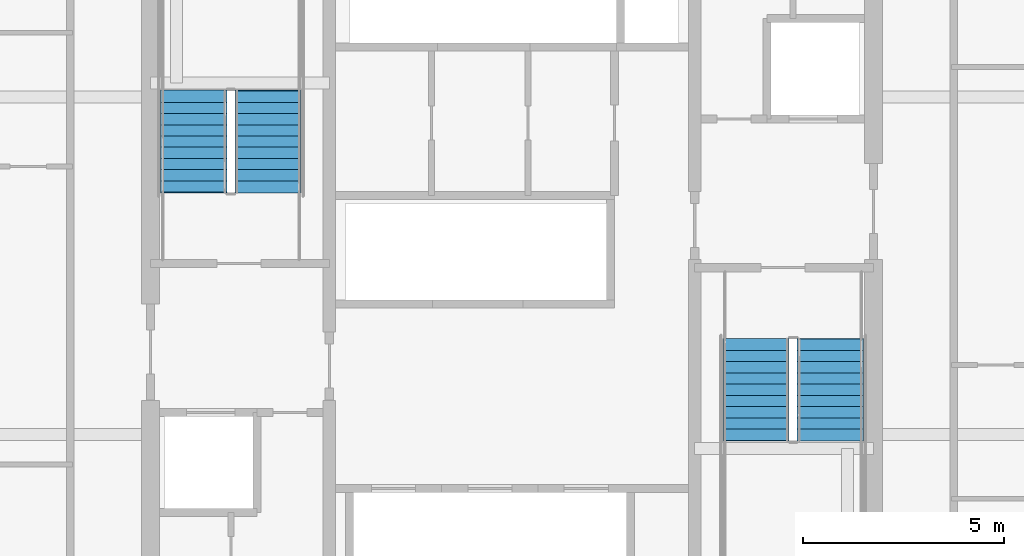
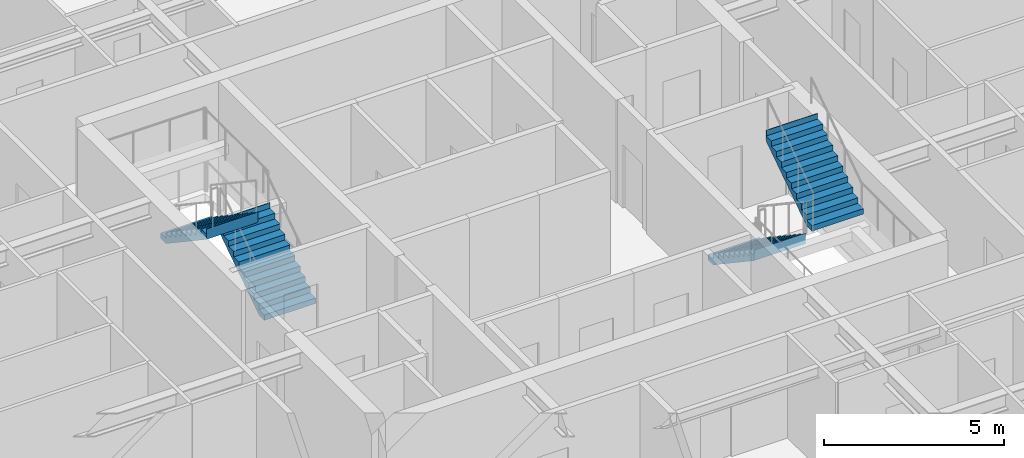
# One storey, part 30 of 36: 4 stair flights, 2 elements without a shape of their own.
"""IFC4 building model written with IfcOpenShell, lengths in metres."""

import ifcopenshell
import ifcopenshell.guid

model = None  # the IFC model being written
_history = None  # IfcOwnerHistory: only IFC2X3 demands one
_inside = {}  # id of a spatial element -> (the spatial element, [elements in it])
_under = {}  # id of a project, library or spatial element -> (it, [spatial elements below it])
_declared = {}  # id of a project -> (the project, [libraries it declares])
_typed = {}  # id of a type object -> (the type object, [elements of that type])
_made_of = {}  # id of a material, layer set ... -> (it, [elements and type objects made of it])


def new_model(schema):
    """Start an empty IFC model of exactly this schema.

    Asked for "IFC4X3", IfcOpenShell would pick the latest addendum, in which some entities
    have other attributes; the version numbers below select the first issue.
    IFC2X3 requires an IfcOwnerHistory on every rooted entity: one is made here for all.
    """
    global model, _history
    if schema == "IFC4X3":
        model = ifcopenshell.file(schema_version=(4, 3, 0, 0))
    else:
        model = ifcopenshell.file(schema=schema)
    _inside.clear()
    _under.clear()
    _declared.clear()
    _typed.clear()
    _made_of.clear()
    _history = None
    if model.schema == "IFC2X3":
        org = make("IfcOrganization", Name="unknown")
        user = make(
            "IfcPersonAndOrganization",
            ThePerson=make("IfcPerson", FamilyName="unknown"),
            TheOrganization=org,
        )
        app = make(
            "IfcApplication",
            ApplicationDeveloper=org,
            Version="unknown",
            ApplicationFullName="unknown",
            ApplicationIdentifier="unknown",
        )
        _history = make(
            "IfcOwnerHistory",
            OwningUser=user,
            OwningApplication=app,
            ChangeAction="ADDED",
            CreationDate=0,
        )
    return model


def make(cls, **values):
    """One entity of the class cls with the attributes given. An attribute that is None is left unset."""
    return model.create_entity(
        cls, **{name: value for name, value in values.items() if value is not None}
    )


def rooted(cls, **values):
    """An entity with a GlobalId (a new one), such as an element, a storey or a relation."""
    return make(cls, GlobalId=ifcopenshell.guid.new(), OwnerHistory=_history, **values)


def si_unit(unit_type, name, prefix=None):
    """IfcSIUnit, for example si_unit("LENGTHUNIT", "METRE", prefix="MILLI")."""
    return make("IfcSIUnit", UnitType=unit_type, Prefix=prefix, Name=name)


def assignment(units):
    """IfcUnitAssignment: the units of a project."""
    return None if units is None else make("IfcUnitAssignment", Units=units)


def point(xyz):
    """IfcCartesianPoint."""
    return None if xyz is None else make("IfcCartesianPoint", Coordinates=xyz)


def direction(xyz):
    """IfcDirection."""
    return None if xyz is None else make("IfcDirection", DirectionRatios=xyz)


def frame(location, z_axis=None, x_axis=None):
    """IfcAxis2Placement3D, a coordinate frame: its origin and axes. An axis left out is left unset."""
    return make(
        "IfcAxis2Placement3D",
        Location=point(location),
        Axis=direction(z_axis),
        RefDirection=direction(x_axis),
    )


def origin():
    """The frame at (0, 0, 0) with its axes left unset."""
    return frame((0.0, 0.0, 0.0))


def place(relative_to, where):
    """IfcLocalPlacement: puts the frame where relative to a parent placement (None: the world)."""
    return make(
        "IfcLocalPlacement", PlacementRelTo=relative_to, RelativePlacement=where
    )


def context(
    kind, dimensions, precision=None, world=None, true_north=None, identifier=None
):
    """IfcGeometricRepresentationContext, for example the 3D "Model" context."""
    return make(
        "IfcGeometricRepresentationContext",
        ContextIdentifier=identifier,
        ContextType=kind,
        CoordinateSpaceDimension=dimensions,
        Precision=precision,
        WorldCoordinateSystem=world,
        TrueNorth=true_north,
    )


def subcontext(parent, identifier, kind, view, scale=None):
    """IfcGeometricRepresentationSubContext, for example "Body" below "Model"."""
    return make(
        "IfcGeometricRepresentationSubContext",
        ContextIdentifier=identifier,
        ContextType=kind,
        ParentContext=parent,
        TargetScale=scale,
        TargetView=view,
    )


def project(units=None, contexts=None):
    """IfcProject with its units and contexts."""
    return rooted(
        "IfcProject",
        Name="project",
        RepresentationContexts=contexts,
        UnitsInContext=assignment(units),
    )


def spatial(cls, under=None, at=None, **own):
    """A site, building, storey or space (cls), placed at a placement, below another one or the project."""
    s = rooted(cls, ObjectPlacement=at, **own)
    if under is not None:
        _under.setdefault(under.id(), (under, []))[1].append(s)
    return s


def point_list(points):
    """IfcCartesianPointList2D or 3D."""
    cls = (
        "IfcCartesianPointList2D" if len(points[0]) == 2 else "IfcCartesianPointList3D"
    )
    return make(cls, CoordList=points)


def polygons(points, faces, closed=None, point_numbers=None):
    """IfcPolygonalFaceSet: a face is its outer loop, then its inner loops; points numbered from 1."""
    made = []
    for loops in faces:
        if len(loops) == 1:
            made.append(make("IfcIndexedPolygonalFace", CoordIndex=loops[0]))
        else:
            made.append(
                make(
                    "IfcIndexedPolygonalFaceWithVoids",
                    CoordIndex=loops[0],
                    InnerCoordIndices=loops[1:],
                )
            )
    return make(
        "IfcPolygonalFaceSet",
        Coordinates=point_list(points),
        Closed=closed,
        Faces=made,
        PnIndex=point_numbers,
    )


def shape(context_of_items, identifier, shape_type, items):
    """IfcShapeRepresentation: the items that make up one representation, for example the "Body"."""
    return make(
        "IfcShapeRepresentation",
        ContextOfItems=context_of_items,
        RepresentationIdentifier=identifier,
        RepresentationType=shape_type,
        Items=items,
    )


def material(Name=None, Category=None):
    """IfcMaterial."""
    return make("IfcMaterial", Name=Name, Category=Category)


def made_of(thing, what):
    """Note that an element or type object is made of a material, layer set ...; save() writes the relation."""
    if what is not None:
        _made_of.setdefault(what.id(), (what, []))[1].append(thing)
    return thing


def type_object(cls, material=None, **own):
    """A type object (cls), such as IfcWallType, which elements share."""
    return made_of(rooted(cls, **own), material)


def element(
    cls,
    number,
    at=None,
    inside=None,
    cuts=None,
    type_object=None,
    material=None,
    context=None,
    identifier="Body",
    shape_type=None,
    held_by="IfcProductDefinitionShape",
    body=None,
    shapes=None,
    **own,
):
    """One element of the class cls, such as IfcWall. Its Tag is "e" and its number.

    at: its placement. inside: the storey or other place that contains it. cuts: it is an
    opening in that element (IfcRelVoidsElement). A single representation is given by context,
    identifier, shape_type and body (its items); several are given by shapes. held_by: the class
    of the entity that holds the representations. save() writes the other relations.
    """
    e = rooted(cls, Tag="e%d" % number, ObjectPlacement=at, **own)
    if body is not None:
        shapes = [shape(context, identifier, shape_type, body)]
    if shapes is not None:
        e.Representation = make(held_by, Representations=shapes)
    if inside is not None:
        _inside.setdefault(inside.id(), (inside, []))[1].append(e)
    if cuts is not None:
        rooted(
            "IfcRelVoidsElement", RelatingBuildingElement=cuts, RelatedOpeningElement=e
        )
    if type_object is not None:
        _typed.setdefault(type_object.id(), (type_object, []))[1].append(e)
    return made_of(e, material)


def aggregate(whole, parts):
    """IfcRelAggregates: a whole, such as a stair, and the parts it consists of."""
    return rooted("IfcRelAggregates", RelatingObject=whole, RelatedObjects=parts)


def save(model, path):
    """Write the relations noted so far, then the file.

    IfcRelAggregates (storeys below a building ...), IfcRelContainedInSpatialStructure (elements
    in a storey), IfcRelDefinesByType, IfcRelAssociatesMaterial and IfcRelDeclares: one each for
    every whole, place, type object, material and project.
    """
    for whole, parts in _under.values():
        aggregate(whole, parts)
    for where, things in _inside.values():
        rooted(
            "IfcRelContainedInSpatialStructure",
            RelatedElements=things,
            RelatingStructure=where,
        )
    for kind, things in _typed.values():
        rooted("IfcRelDefinesByType", RelatedObjects=things, RelatingType=kind)
    for what, things in _made_of.values():
        rooted("IfcRelAssociatesMaterial", RelatedObjects=things, RelatingMaterial=what)
    for by, libraries in _declared.values():
        rooted("IfcRelDeclares", RelatingContext=by, RelatedDefinitions=libraries)
    model.write(path)


model = new_model("IFC4")

# Units and contexts
model_context = context("Model", 3, precision=1e-05, world=origin(), true_north=direction((0.0, 1.0)))
body_context = subcontext(model_context, "Body", "Model", "MODEL_VIEW")
ifc_project = project(units=[si_unit("LENGTHUNIT", "METRE"), si_unit("AREAUNIT", "SQUARE_METRE"), si_unit("VOLUMEUNIT", "CUBIC_METRE"), si_unit("PLANEANGLEUNIT", "RADIAN"), si_unit("MASSUNIT", "GRAM", prefix="KILO")], contexts=[model_context])

# Site, building, storey
site_placement = place(None, origin())
site = spatial("IfcSite", under=ifc_project, at=site_placement, CompositionType="ELEMENT")
building_placement = place(site_placement, origin())
building = spatial("IfcBuilding", under=site, at=building_placement, Name="Serunith Strait Residences", CompositionType="ELEMENT")
storey_placement = place(building_placement, frame((0.0, 0.0, 41.699951171875)))
storey = spatial("IfcBuildingStorey", under=building, at=storey_placement, Name="L09", CompositionType="ELEMENT", Elevation=41.699951171875)

# Stair, stair flights
ifc_material = material(Name="Concrete C50/60", Category="concrete")
stair_type_1 = type_object("IfcStairType", Name="STR-CORE-1", PredefinedType="HALF_TURN_STAIR", material=ifc_material)
stair_1_placement = place(storey_placement, origin())
stair_1 = element("IfcStair", 1, at=stair_1_placement, inside=storey, type_object=stair_type_1, Name="L09 Protected Escape Stair ST-1", PredefinedType="HALF_TURN_STAIR")
stair_flight_type_1 = type_object("IfcStairFlightType", Name="FLT-CORE-1", PredefinedType="STRAIGHT", material=ifc_material)
stair_flight_1_placement = place(storey_placement, frame((26.324951171875, 27.030029296875, 0.0), z_axis=(0.0, 0.0, 1.0), x_axis=(0.0, 1.0, 0.0)))
stair_flight_1 = element("IfcStairFlight", 2, at=stair_flight_1_placement, type_object=stair_flight_type_1, Name="ST-1 flight 1", NumberOfRisers=10, NumberOfTreads=9, PredefinedType="STRAIGHT", RiserHeight=0.1875, TreadLength=0.28, context=body_context, shape_type="Tessellation", body=[
    polygons([(-0.02001953125, -0.824951171875, 0.0), (-0.02001953125, -0.824951171875, 0.1875), (0.280029296875, -0.824951171875, 0.1875), (0.280029296875, -0.824951171875, 0.375), (0.56005859375, -0.824951171875, 0.375), (0.56005859375, -0.824951171875, 0.5625), (0.840087890625, -0.824951171875, 0.5625), (0.840087890625, -0.824951171875, 0.75), (1.1201171875, -0.824951171875, 0.75), (1.1201171875, -0.824951171875, 0.9375), (1.39990234375, -0.824951171875, 0.9375), (1.39990234375, -0.824951171875, 1.125), (1.679931640625, -0.824951171875, 1.125), (1.679931640625, -0.824951171875, 1.3125), (1.9599609375, -0.824951171875, 1.3125), (1.9599609375, -0.824951171875, 1.5), (2.239990234375, -0.824951171875, 1.5), (2.239990234375, -0.824951171875, 1.6875), (2.52001953125, -0.824951171875, 1.6875), (2.52001953125, -0.824951171875, 1.875), (2.5400390625, -0.824951171875, 1.875), (2.5400390625, -0.824951171875, 1.81494140625), (2.52001953125, -0.824951171875, 1.507080078125), (0.26953125, -0.824951171875, 0.0), (-0.02001953125, -0.41259765625, 0.0), (-0.02001953125, -0.41259765625, 0.1875), (0.280029296875, -0.41259765625, 0.1875), (0.280029296875, -0.41259765625, 0.375), (0.56005859375, -0.41259765625, 0.375), (0.56005859375, -0.41259765625, 0.5625), (0.840087890625, -0.41259765625, 0.5625), (0.840087890625, -0.41259765625, 0.75), (1.1201171875, -0.41259765625, 0.75), (1.1201171875, -0.41259765625, 0.9375), (1.39990234375, -0.41259765625, 0.9375), (1.39990234375, -0.41259765625, 1.125), (1.679931640625, -0.41259765625, 1.125), (1.679931640625, -0.41259765625, 1.3125), (1.9599609375, -0.41259765625, 1.3125), (1.9599609375, -0.41259765625, 1.5), (2.239990234375, -0.41259765625, 1.5), (2.239990234375, -0.41259765625, 1.6875), (2.52001953125, -0.41259765625, 1.6875), (2.52001953125, -0.41259765625, 1.875), (2.5400390625, -0.41259765625, 1.875), (2.5400390625, -0.41259765625, 1.81494140625), (2.52001953125, -0.41259765625, 1.507080078125), (0.26953125, -0.41259765625, 0.0), (-0.02001953125, 0.0, 0.0), (-0.02001953125, 0.0, 0.1875), (0.280029296875, 0.0, 0.1875), (0.280029296875, 0.0, 0.375), (0.56005859375, 0.0, 0.375), (0.56005859375, 0.0, 0.5625), (0.840087890625, 0.0, 0.5625), (0.840087890625, 0.0, 0.75), (1.1201171875, 0.0, 0.75), (1.1201171875, 0.0, 0.9375), (1.39990234375, 0.0, 0.9375), (1.39990234375, 0.0, 1.125), (1.679931640625, 0.0, 1.125), (1.679931640625, 0.0, 1.3125), (1.9599609375, 0.0, 1.3125), (1.9599609375, 0.0, 1.5), (2.239990234375, 0.0, 1.5), (2.239990234375, 0.0, 1.6875), (2.52001953125, 0.0, 1.6875), (2.52001953125, 0.0, 1.875), (2.5400390625, 0.0, 1.875), (2.5400390625, 0.0, 1.81494140625), (2.52001953125, 0.0, 1.507080078125), (0.26953125, 0.0, 0.0), (-0.02001953125, 0.41259765625, 0.0), (-0.02001953125, 0.41259765625, 0.1875), (0.280029296875, 0.41259765625, 0.1875), (0.280029296875, 0.41259765625, 0.375), (0.56005859375, 0.41259765625, 0.375), (0.56005859375, 0.41259765625, 0.5625), (0.840087890625, 0.41259765625, 0.5625), (0.840087890625, 0.41259765625, 0.75), (1.1201171875, 0.41259765625, 0.75), (1.1201171875, 0.41259765625, 0.9375), (1.39990234375, 0.41259765625, 0.9375), (1.39990234375, 0.41259765625, 1.125), (1.679931640625, 0.41259765625, 1.125), (1.679931640625, 0.41259765625, 1.3125), (1.9599609375, 0.41259765625, 1.3125), (1.9599609375, 0.41259765625, 1.5), (2.239990234375, 0.41259765625, 1.5), (2.239990234375, 0.41259765625, 1.6875), (2.52001953125, 0.41259765625, 1.6875), (2.52001953125, 0.41259765625, 1.875), (2.5400390625, 0.41259765625, 1.875), (2.5400390625, 0.41259765625, 1.81494140625), (2.52001953125, 0.41259765625, 1.507080078125), (0.26953125, 0.41259765625, 0.0), (-0.02001953125, 0.824951171875, 0.0), (-0.02001953125, 0.824951171875, 0.1875), (0.280029296875, 0.824951171875, 0.1875), (0.280029296875, 0.824951171875, 0.375), (0.56005859375, 0.824951171875, 0.375), (0.56005859375, 0.824951171875, 0.5625), (0.840087890625, 0.824951171875, 0.5625), (0.840087890625, 0.824951171875, 0.75), (1.1201171875, 0.824951171875, 0.75), (1.1201171875, 0.824951171875, 0.9375), (1.39990234375, 0.824951171875, 0.9375), (1.39990234375, 0.824951171875, 1.125), (1.679931640625, 0.824951171875, 1.125), (1.679931640625, 0.824951171875, 1.3125), (1.9599609375, 0.824951171875, 1.3125), (1.9599609375, 0.824951171875, 1.5), (2.239990234375, 0.824951171875, 1.5), (2.239990234375, 0.824951171875, 1.6875), (2.52001953125, 0.824951171875, 1.6875), (2.52001953125, 0.824951171875, 1.875), (2.5400390625, 0.824951171875, 1.875), (2.5400390625, 0.824951171875, 1.81494140625), (2.52001953125, 0.824951171875, 1.507080078125), (0.26953125, 0.824951171875, 0.0)], [[[1, 2, 26, 25]], [[2, 3, 27, 26]], [[3, 4, 28, 27]], [[4, 5, 29, 28]], [[5, 6, 30, 29]], [[6, 7, 31, 30]], [[7, 8, 32, 31]], [[8, 9, 33, 32]], [[9, 10, 34, 33]], [[10, 11, 35, 34]], [[11, 12, 36, 35]], [[12, 13, 37, 36]], [[13, 14, 38, 37]], [[14, 15, 39, 38]], [[15, 16, 40, 39]], [[16, 17, 41, 40]], [[17, 18, 42, 41]], [[18, 19, 43, 42]], [[19, 20, 44, 43]], [[20, 21, 45, 44]], [[21, 22, 46, 45]], [[22, 23, 47, 46]], [[23, 24, 48, 47]], [[24, 1, 25, 48]], [[25, 26, 50, 49]], [[26, 27, 51, 50]], [[27, 28, 52, 51]], [[28, 29, 53, 52]], [[29, 30, 54, 53]], [[30, 31, 55, 54]], [[31, 32, 56, 55]], [[32, 33, 57, 56]], [[33, 34, 58, 57]], [[34, 35, 59, 58]], [[35, 36, 60, 59]], [[36, 37, 61, 60]], [[37, 38, 62, 61]], [[38, 39, 63, 62]], [[39, 40, 64, 63]], [[40, 41, 65, 64]], [[41, 42, 66, 65]], [[42, 43, 67, 66]], [[43, 44, 68, 67]], [[44, 45, 69, 68]], [[45, 46, 70, 69]], [[46, 47, 71, 70]], [[47, 48, 72, 71]], [[48, 25, 49, 72]], [[49, 50, 74, 73]], [[50, 51, 75, 74]], [[51, 52, 76, 75]], [[52, 53, 77, 76]], [[53, 54, 78, 77]], [[54, 55, 79, 78]], [[55, 56, 80, 79]], [[56, 57, 81, 80]], [[57, 58, 82, 81]], [[58, 59, 83, 82]], [[59, 60, 84, 83]], [[60, 61, 85, 84]], [[61, 62, 86, 85]], [[62, 63, 87, 86]], [[63, 64, 88, 87]], [[64, 65, 89, 88]], [[65, 66, 90, 89]], [[66, 67, 91, 90]], [[67, 68, 92, 91]], [[68, 69, 93, 92]], [[69, 70, 94, 93]], [[70, 71, 95, 94]], [[71, 72, 96, 95]], [[72, 49, 73, 96]], [[73, 74, 98, 97]], [[74, 75, 99, 98]], [[75, 76, 100, 99]], [[76, 77, 101, 100]], [[77, 78, 102, 101]], [[78, 79, 103, 102]], [[79, 80, 104, 103]], [[80, 81, 105, 104]], [[81, 82, 106, 105]], [[82, 83, 107, 106]], [[83, 84, 108, 107]], [[84, 85, 109, 108]], [[85, 86, 110, 109]], [[86, 87, 111, 110]], [[87, 88, 112, 111]], [[88, 89, 113, 112]], [[89, 90, 114, 113]], [[90, 91, 115, 114]], [[91, 92, 116, 115]], [[92, 93, 117, 116]], [[93, 94, 118, 117]], [[94, 95, 119, 118]], [[95, 96, 120, 119]], [[96, 73, 97, 120]], [[24, 23, 22, 21, 20, 19, 18, 17, 16, 15, 14, 13, 12, 11, 10, 9, 8, 7, 6, 5, 4, 3, 2, 1]], [[97, 98, 99, 100, 101, 102, 103, 104, 105, 106, 107, 108, 109, 110, 111, 112, 113, 114, 115, 116, 117, 118, 119, 120]]], closed=True),
])
stair_flight_2_placement = place(storey_placement, frame((24.47509765625, 29.550048828125, 1.875), z_axis=(0.0, 0.0, 1.0), x_axis=(0.0, -1.0, 0.0)))
stair_flight_2 = element("IfcStairFlight", 3, at=stair_flight_2_placement, type_object=stair_flight_type_1, Name="ST-1 flight 2", NumberOfRisers=10, NumberOfTreads=9, PredefinedType="STRAIGHT", RiserHeight=0.1875, TreadLength=0.28, context=body_context, shape_type="Tessellation", body=[
    polygons([(-0.02001953125, -0.824951171875, 0.0), (-0.02001953125, -0.824951171875, 0.1875), (0.280029296875, -0.824951171875, 0.1875), (0.280029296875, -0.824951171875, 0.375), (0.56005859375, -0.824951171875, 0.375), (0.56005859375, -0.824951171875, 0.5625), (0.840087890625, -0.824951171875, 0.5625), (0.840087890625, -0.824951171875, 0.75), (1.1201171875, -0.824951171875, 0.75), (1.1201171875, -0.824951171875, 0.9375), (1.39990234375, -0.824951171875, 0.9375), (1.39990234375, -0.824951171875, 1.125), (1.679931640625, -0.824951171875, 1.125), (1.679931640625, -0.824951171875, 1.3125), (1.9599609375, -0.824951171875, 1.3125), (1.9599609375, -0.824951171875, 1.5), (2.239990234375, -0.824951171875, 1.5), (2.239990234375, -0.824951171875, 1.6875), (2.52001953125, -0.824951171875, 1.6875), (2.52001953125, -0.824951171875, 1.875), (2.5400390625, -0.824951171875, 1.875), (2.5400390625, -0.824951171875, 1.81494140625), (2.52001953125, -0.824951171875, 1.507080078125), (0.26953125, -0.824951171875, 0.0), (-0.02001953125, -0.41259765625, 0.0), (-0.02001953125, -0.41259765625, 0.1875), (0.280029296875, -0.41259765625, 0.1875), (0.280029296875, -0.41259765625, 0.375), (0.56005859375, -0.41259765625, 0.375), (0.56005859375, -0.41259765625, 0.5625), (0.840087890625, -0.41259765625, 0.5625), (0.840087890625, -0.41259765625, 0.75), (1.1201171875, -0.41259765625, 0.75), (1.1201171875, -0.41259765625, 0.9375), (1.39990234375, -0.41259765625, 0.9375), (1.39990234375, -0.41259765625, 1.125), (1.679931640625, -0.41259765625, 1.125), (1.679931640625, -0.41259765625, 1.3125), (1.9599609375, -0.41259765625, 1.3125), (1.9599609375, -0.41259765625, 1.5), (2.239990234375, -0.41259765625, 1.5), (2.239990234375, -0.41259765625, 1.6875), (2.52001953125, -0.41259765625, 1.6875), (2.52001953125, -0.41259765625, 1.875), (2.5400390625, -0.41259765625, 1.875), (2.5400390625, -0.41259765625, 1.81494140625), (2.52001953125, -0.41259765625, 1.507080078125), (0.26953125, -0.41259765625, 0.0), (-0.02001953125, 0.0, 0.0), (-0.02001953125, 0.0, 0.1875), (0.280029296875, 0.0, 0.1875), (0.280029296875, 0.0, 0.375), (0.56005859375, 0.0, 0.375), (0.56005859375, 0.0, 0.5625), (0.840087890625, 0.0, 0.5625), (0.840087890625, 0.0, 0.75), (1.1201171875, 0.0, 0.75), (1.1201171875, 0.0, 0.9375), (1.39990234375, 0.0, 0.9375), (1.39990234375, 0.0, 1.125), (1.679931640625, 0.0, 1.125), (1.679931640625, 0.0, 1.3125), (1.9599609375, 0.0, 1.3125), (1.9599609375, 0.0, 1.5), (2.239990234375, 0.0, 1.5), (2.239990234375, 0.0, 1.6875), (2.52001953125, 0.0, 1.6875), (2.52001953125, 0.0, 1.875), (2.5400390625, 0.0, 1.875), (2.5400390625, 0.0, 1.81494140625), (2.52001953125, 0.0, 1.507080078125), (0.26953125, 0.0, 0.0), (-0.02001953125, 0.41259765625, 0.0), (-0.02001953125, 0.41259765625, 0.1875), (0.280029296875, 0.41259765625, 0.1875), (0.280029296875, 0.41259765625, 0.375), (0.56005859375, 0.41259765625, 0.375), (0.56005859375, 0.41259765625, 0.5625), (0.840087890625, 0.41259765625, 0.5625), (0.840087890625, 0.41259765625, 0.75), (1.1201171875, 0.41259765625, 0.75), (1.1201171875, 0.41259765625, 0.9375), (1.39990234375, 0.41259765625, 0.9375), (1.39990234375, 0.41259765625, 1.125), (1.679931640625, 0.41259765625, 1.125), (1.679931640625, 0.41259765625, 1.3125), (1.9599609375, 0.41259765625, 1.3125), (1.9599609375, 0.41259765625, 1.5), (2.239990234375, 0.41259765625, 1.5), (2.239990234375, 0.41259765625, 1.6875), (2.52001953125, 0.41259765625, 1.6875), (2.52001953125, 0.41259765625, 1.875), (2.5400390625, 0.41259765625, 1.875), (2.5400390625, 0.41259765625, 1.81494140625), (2.52001953125, 0.41259765625, 1.507080078125), (0.26953125, 0.41259765625, 0.0), (-0.02001953125, 0.824951171875, 0.0), (-0.02001953125, 0.824951171875, 0.1875), (0.280029296875, 0.824951171875, 0.1875), (0.280029296875, 0.824951171875, 0.375), (0.56005859375, 0.824951171875, 0.375), (0.56005859375, 0.824951171875, 0.5625), (0.840087890625, 0.824951171875, 0.5625), (0.840087890625, 0.824951171875, 0.75), (1.1201171875, 0.824951171875, 0.75), (1.1201171875, 0.824951171875, 0.9375), (1.39990234375, 0.824951171875, 0.9375), (1.39990234375, 0.824951171875, 1.125), (1.679931640625, 0.824951171875, 1.125), (1.679931640625, 0.824951171875, 1.3125), (1.9599609375, 0.824951171875, 1.3125), (1.9599609375, 0.824951171875, 1.5), (2.239990234375, 0.824951171875, 1.5), (2.239990234375, 0.824951171875, 1.6875), (2.52001953125, 0.824951171875, 1.6875), (2.52001953125, 0.824951171875, 1.875), (2.5400390625, 0.824951171875, 1.875), (2.5400390625, 0.824951171875, 1.81494140625), (2.52001953125, 0.824951171875, 1.507080078125), (0.26953125, 0.824951171875, 0.0)], [[[1, 2, 26, 25]], [[2, 3, 27, 26]], [[3, 4, 28, 27]], [[4, 5, 29, 28]], [[5, 6, 30, 29]], [[6, 7, 31, 30]], [[7, 8, 32, 31]], [[8, 9, 33, 32]], [[9, 10, 34, 33]], [[10, 11, 35, 34]], [[11, 12, 36, 35]], [[12, 13, 37, 36]], [[13, 14, 38, 37]], [[14, 15, 39, 38]], [[15, 16, 40, 39]], [[16, 17, 41, 40]], [[17, 18, 42, 41]], [[18, 19, 43, 42]], [[19, 20, 44, 43]], [[20, 21, 45, 44]], [[21, 22, 46, 45]], [[22, 23, 47, 46]], [[23, 24, 48, 47]], [[24, 1, 25, 48]], [[25, 26, 50, 49]], [[26, 27, 51, 50]], [[27, 28, 52, 51]], [[28, 29, 53, 52]], [[29, 30, 54, 53]], [[30, 31, 55, 54]], [[31, 32, 56, 55]], [[32, 33, 57, 56]], [[33, 34, 58, 57]], [[34, 35, 59, 58]], [[35, 36, 60, 59]], [[36, 37, 61, 60]], [[37, 38, 62, 61]], [[38, 39, 63, 62]], [[39, 40, 64, 63]], [[40, 41, 65, 64]], [[41, 42, 66, 65]], [[42, 43, 67, 66]], [[43, 44, 68, 67]], [[44, 45, 69, 68]], [[45, 46, 70, 69]], [[46, 47, 71, 70]], [[47, 48, 72, 71]], [[48, 25, 49, 72]], [[49, 50, 74, 73]], [[50, 51, 75, 74]], [[51, 52, 76, 75]], [[52, 53, 77, 76]], [[53, 54, 78, 77]], [[54, 55, 79, 78]], [[55, 56, 80, 79]], [[56, 57, 81, 80]], [[57, 58, 82, 81]], [[58, 59, 83, 82]], [[59, 60, 84, 83]], [[60, 61, 85, 84]], [[61, 62, 86, 85]], [[62, 63, 87, 86]], [[63, 64, 88, 87]], [[64, 65, 89, 88]], [[65, 66, 90, 89]], [[66, 67, 91, 90]], [[67, 68, 92, 91]], [[68, 69, 93, 92]], [[69, 70, 94, 93]], [[70, 71, 95, 94]], [[71, 72, 96, 95]], [[72, 49, 73, 96]], [[73, 74, 98, 97]], [[74, 75, 99, 98]], [[75, 76, 100, 99]], [[76, 77, 101, 100]], [[77, 78, 102, 101]], [[78, 79, 103, 102]], [[79, 80, 104, 103]], [[80, 81, 105, 104]], [[81, 82, 106, 105]], [[82, 83, 107, 106]], [[83, 84, 108, 107]], [[84, 85, 109, 108]], [[85, 86, 110, 109]], [[86, 87, 111, 110]], [[87, 88, 112, 111]], [[88, 89, 113, 112]], [[89, 90, 114, 113]], [[90, 91, 115, 114]], [[91, 92, 116, 115]], [[92, 93, 117, 116]], [[93, 94, 118, 117]], [[94, 95, 119, 118]], [[95, 96, 120, 119]], [[96, 73, 97, 120]], [[24, 23, 22, 21, 20, 19, 18, 17, 16, 15, 14, 13, 12, 11, 10, 9, 8, 7, 6, 5, 4, 3, 2, 1]], [[97, 98, 99, 100, 101, 102, 103, 104, 105, 106, 107, 108, 109, 110, 111, 112, 113, 114, 115, 116, 117, 118, 119, 120]]], closed=True),
])
aggregate(stair_1, [stair_flight_1, stair_flight_2])

stair_type_2 = type_object("IfcStairType", Name="STR-CORE-2", PredefinedType="HALF_TURN_STAIR", material=ifc_material)
stair_2_placement = place(storey_placement, origin())
stair_2 = element("IfcStair", 4, at=stair_2_placement, inside=storey, type_object=stair_type_2, Name="L09 Protected Escape Stair ST-2", PredefinedType="HALF_TURN_STAIR")
stair_flight_type_2 = type_object("IfcStairFlightType", Name="FLT-CORE-2", PredefinedType="STRAIGHT", material=ifc_material)
stair_flight_3_placement = place(storey_placement, frame((38.47509765625, 23.3701171875, 0.0), z_axis=(0.0, 0.0, 1.0), x_axis=(0.0, -1.0, 0.0)))
stair_flight_3 = element("IfcStairFlight", 5, at=stair_flight_3_placement, type_object=stair_flight_type_2, Name="ST-2 flight 1", NumberOfRisers=10, NumberOfTreads=9, PredefinedType="STRAIGHT", RiserHeight=0.1875, TreadLength=0.28, context=body_context, shape_type="Tessellation", body=[
    polygons([(-0.02001953125, -0.824951171875, 0.0), (-0.02001953125, -0.824951171875, 0.1875), (0.280029296875, -0.824951171875, 0.1875), (0.280029296875, -0.824951171875, 0.375), (0.56005859375, -0.824951171875, 0.375), (0.56005859375, -0.824951171875, 0.5625), (0.840087890625, -0.824951171875, 0.5625), (0.840087890625, -0.824951171875, 0.75), (1.1201171875, -0.824951171875, 0.75), (1.1201171875, -0.824951171875, 0.9375), (1.39990234375, -0.824951171875, 0.9375), (1.39990234375, -0.824951171875, 1.125), (1.679931640625, -0.824951171875, 1.125), (1.679931640625, -0.824951171875, 1.3125), (1.9599609375, -0.824951171875, 1.3125), (1.9599609375, -0.824951171875, 1.5), (2.239990234375, -0.824951171875, 1.5), (2.239990234375, -0.824951171875, 1.6875), (2.52001953125, -0.824951171875, 1.6875), (2.52001953125, -0.824951171875, 1.875), (2.5400390625, -0.824951171875, 1.875), (2.5400390625, -0.824951171875, 1.81494140625), (2.52001953125, -0.824951171875, 1.507080078125), (0.26953125, -0.824951171875, 0.0), (-0.02001953125, -0.41259765625, 0.0), (-0.02001953125, -0.41259765625, 0.1875), (0.280029296875, -0.41259765625, 0.1875), (0.280029296875, -0.41259765625, 0.375), (0.56005859375, -0.41259765625, 0.375), (0.56005859375, -0.41259765625, 0.5625), (0.840087890625, -0.41259765625, 0.5625), (0.840087890625, -0.41259765625, 0.75), (1.1201171875, -0.41259765625, 0.75), (1.1201171875, -0.41259765625, 0.9375), (1.39990234375, -0.41259765625, 0.9375), (1.39990234375, -0.41259765625, 1.125), (1.679931640625, -0.41259765625, 1.125), (1.679931640625, -0.41259765625, 1.3125), (1.9599609375, -0.41259765625, 1.3125), (1.9599609375, -0.41259765625, 1.5), (2.239990234375, -0.41259765625, 1.5), (2.239990234375, -0.41259765625, 1.6875), (2.52001953125, -0.41259765625, 1.6875), (2.52001953125, -0.41259765625, 1.875), (2.5400390625, -0.41259765625, 1.875), (2.5400390625, -0.41259765625, 1.81494140625), (2.52001953125, -0.41259765625, 1.507080078125), (0.26953125, -0.41259765625, 0.0), (-0.02001953125, 0.0, 0.0), (-0.02001953125, 0.0, 0.1875), (0.280029296875, 0.0, 0.1875), (0.280029296875, 0.0, 0.375), (0.56005859375, 0.0, 0.375), (0.56005859375, 0.0, 0.5625), (0.840087890625, 0.0, 0.5625), (0.840087890625, 0.0, 0.75), (1.1201171875, 0.0, 0.75), (1.1201171875, 0.0, 0.9375), (1.39990234375, 0.0, 0.9375), (1.39990234375, 0.0, 1.125), (1.679931640625, 0.0, 1.125), (1.679931640625, 0.0, 1.3125), (1.9599609375, 0.0, 1.3125), (1.9599609375, 0.0, 1.5), (2.239990234375, 0.0, 1.5), (2.239990234375, 0.0, 1.6875), (2.52001953125, 0.0, 1.6875), (2.52001953125, 0.0, 1.875), (2.5400390625, 0.0, 1.875), (2.5400390625, 0.0, 1.81494140625), (2.52001953125, 0.0, 1.507080078125), (0.26953125, 0.0, 0.0), (-0.02001953125, 0.41259765625, 0.0), (-0.02001953125, 0.41259765625, 0.1875), (0.280029296875, 0.41259765625, 0.1875), (0.280029296875, 0.41259765625, 0.375), (0.56005859375, 0.41259765625, 0.375), (0.56005859375, 0.41259765625, 0.5625), (0.840087890625, 0.41259765625, 0.5625), (0.840087890625, 0.41259765625, 0.75), (1.1201171875, 0.41259765625, 0.75), (1.1201171875, 0.41259765625, 0.9375), (1.39990234375, 0.41259765625, 0.9375), (1.39990234375, 0.41259765625, 1.125), (1.679931640625, 0.41259765625, 1.125), (1.679931640625, 0.41259765625, 1.3125), (1.9599609375, 0.41259765625, 1.3125), (1.9599609375, 0.41259765625, 1.5), (2.239990234375, 0.41259765625, 1.5), (2.239990234375, 0.41259765625, 1.6875), (2.52001953125, 0.41259765625, 1.6875), (2.52001953125, 0.41259765625, 1.875), (2.5400390625, 0.41259765625, 1.875), (2.5400390625, 0.41259765625, 1.81494140625), (2.52001953125, 0.41259765625, 1.507080078125), (0.26953125, 0.41259765625, 0.0), (-0.02001953125, 0.824951171875, 0.0), (-0.02001953125, 0.824951171875, 0.1875), (0.280029296875, 0.824951171875, 0.1875), (0.280029296875, 0.824951171875, 0.375), (0.56005859375, 0.824951171875, 0.375), (0.56005859375, 0.824951171875, 0.5625), (0.840087890625, 0.824951171875, 0.5625), (0.840087890625, 0.824951171875, 0.75), (1.1201171875, 0.824951171875, 0.75), (1.1201171875, 0.824951171875, 0.9375), (1.39990234375, 0.824951171875, 0.9375), (1.39990234375, 0.824951171875, 1.125), (1.679931640625, 0.824951171875, 1.125), (1.679931640625, 0.824951171875, 1.3125), (1.9599609375, 0.824951171875, 1.3125), (1.9599609375, 0.824951171875, 1.5), (2.239990234375, 0.824951171875, 1.5), (2.239990234375, 0.824951171875, 1.6875), (2.52001953125, 0.824951171875, 1.6875), (2.52001953125, 0.824951171875, 1.875), (2.5400390625, 0.824951171875, 1.875), (2.5400390625, 0.824951171875, 1.81494140625), (2.52001953125, 0.824951171875, 1.507080078125), (0.26953125, 0.824951171875, 0.0)], [[[1, 2, 26, 25]], [[2, 3, 27, 26]], [[3, 4, 28, 27]], [[4, 5, 29, 28]], [[5, 6, 30, 29]], [[6, 7, 31, 30]], [[7, 8, 32, 31]], [[8, 9, 33, 32]], [[9, 10, 34, 33]], [[10, 11, 35, 34]], [[11, 12, 36, 35]], [[12, 13, 37, 36]], [[13, 14, 38, 37]], [[14, 15, 39, 38]], [[15, 16, 40, 39]], [[16, 17, 41, 40]], [[17, 18, 42, 41]], [[18, 19, 43, 42]], [[19, 20, 44, 43]], [[20, 21, 45, 44]], [[21, 22, 46, 45]], [[22, 23, 47, 46]], [[23, 24, 48, 47]], [[24, 1, 25, 48]], [[25, 26, 50, 49]], [[26, 27, 51, 50]], [[27, 28, 52, 51]], [[28, 29, 53, 52]], [[29, 30, 54, 53]], [[30, 31, 55, 54]], [[31, 32, 56, 55]], [[32, 33, 57, 56]], [[33, 34, 58, 57]], [[34, 35, 59, 58]], [[35, 36, 60, 59]], [[36, 37, 61, 60]], [[37, 38, 62, 61]], [[38, 39, 63, 62]], [[39, 40, 64, 63]], [[40, 41, 65, 64]], [[41, 42, 66, 65]], [[42, 43, 67, 66]], [[43, 44, 68, 67]], [[44, 45, 69, 68]], [[45, 46, 70, 69]], [[46, 47, 71, 70]], [[47, 48, 72, 71]], [[48, 25, 49, 72]], [[49, 50, 74, 73]], [[50, 51, 75, 74]], [[51, 52, 76, 75]], [[52, 53, 77, 76]], [[53, 54, 78, 77]], [[54, 55, 79, 78]], [[55, 56, 80, 79]], [[56, 57, 81, 80]], [[57, 58, 82, 81]], [[58, 59, 83, 82]], [[59, 60, 84, 83]], [[60, 61, 85, 84]], [[61, 62, 86, 85]], [[62, 63, 87, 86]], [[63, 64, 88, 87]], [[64, 65, 89, 88]], [[65, 66, 90, 89]], [[66, 67, 91, 90]], [[67, 68, 92, 91]], [[68, 69, 93, 92]], [[69, 70, 94, 93]], [[70, 71, 95, 94]], [[71, 72, 96, 95]], [[72, 49, 73, 96]], [[73, 74, 98, 97]], [[74, 75, 99, 98]], [[75, 76, 100, 99]], [[76, 77, 101, 100]], [[77, 78, 102, 101]], [[78, 79, 103, 102]], [[79, 80, 104, 103]], [[80, 81, 105, 104]], [[81, 82, 106, 105]], [[82, 83, 107, 106]], [[83, 84, 108, 107]], [[84, 85, 109, 108]], [[85, 86, 110, 109]], [[86, 87, 111, 110]], [[87, 88, 112, 111]], [[88, 89, 113, 112]], [[89, 90, 114, 113]], [[90, 91, 115, 114]], [[91, 92, 116, 115]], [[92, 93, 117, 116]], [[93, 94, 118, 117]], [[94, 95, 119, 118]], [[95, 96, 120, 119]], [[96, 73, 97, 120]], [[24, 23, 22, 21, 20, 19, 18, 17, 16, 15, 14, 13, 12, 11, 10, 9, 8, 7, 6, 5, 4, 3, 2, 1]], [[97, 98, 99, 100, 101, 102, 103, 104, 105, 106, 107, 108, 109, 110, 111, 112, 113, 114, 115, 116, 117, 118, 119, 120]]], closed=True),
])
stair_flight_4_placement = place(storey_placement, frame((40.324951171875, 20.85009765625, 1.875), z_axis=(0.0, 0.0, 1.0), x_axis=(0.0, 1.0, 0.0)))
stair_flight_4 = element("IfcStairFlight", 6, at=stair_flight_4_placement, type_object=stair_flight_type_2, Name="ST-2 flight 2", NumberOfRisers=10, NumberOfTreads=9, PredefinedType="STRAIGHT", RiserHeight=0.1875, TreadLength=0.28, context=body_context, shape_type="Tessellation", body=[
    polygons([(-0.02001953125, -0.824951171875, 0.0), (-0.02001953125, -0.824951171875, 0.1875), (0.280029296875, -0.824951171875, 0.1875), (0.280029296875, -0.824951171875, 0.375), (0.56005859375, -0.824951171875, 0.375), (0.56005859375, -0.824951171875, 0.5625), (0.840087890625, -0.824951171875, 0.5625), (0.840087890625, -0.824951171875, 0.75), (1.1201171875, -0.824951171875, 0.75), (1.1201171875, -0.824951171875, 0.9375), (1.39990234375, -0.824951171875, 0.9375), (1.39990234375, -0.824951171875, 1.125), (1.679931640625, -0.824951171875, 1.125), (1.679931640625, -0.824951171875, 1.3125), (1.9599609375, -0.824951171875, 1.3125), (1.9599609375, -0.824951171875, 1.5), (2.239990234375, -0.824951171875, 1.5), (2.239990234375, -0.824951171875, 1.6875), (2.52001953125, -0.824951171875, 1.6875), (2.52001953125, -0.824951171875, 1.875), (2.5400390625, -0.824951171875, 1.875), (2.5400390625, -0.824951171875, 1.81494140625), (2.52001953125, -0.824951171875, 1.507080078125), (0.26953125, -0.824951171875, 0.0), (-0.02001953125, -0.41259765625, 0.0), (-0.02001953125, -0.41259765625, 0.1875), (0.280029296875, -0.41259765625, 0.1875), (0.280029296875, -0.41259765625, 0.375), (0.56005859375, -0.41259765625, 0.375), (0.56005859375, -0.41259765625, 0.5625), (0.840087890625, -0.41259765625, 0.5625), (0.840087890625, -0.41259765625, 0.75), (1.1201171875, -0.41259765625, 0.75), (1.1201171875, -0.41259765625, 0.9375), (1.39990234375, -0.41259765625, 0.9375), (1.39990234375, -0.41259765625, 1.125), (1.679931640625, -0.41259765625, 1.125), (1.679931640625, -0.41259765625, 1.3125), (1.9599609375, -0.41259765625, 1.3125), (1.9599609375, -0.41259765625, 1.5), (2.239990234375, -0.41259765625, 1.5), (2.239990234375, -0.41259765625, 1.6875), (2.52001953125, -0.41259765625, 1.6875), (2.52001953125, -0.41259765625, 1.875), (2.5400390625, -0.41259765625, 1.875), (2.5400390625, -0.41259765625, 1.81494140625), (2.52001953125, -0.41259765625, 1.507080078125), (0.26953125, -0.41259765625, 0.0), (-0.02001953125, 0.0, 0.0), (-0.02001953125, 0.0, 0.1875), (0.280029296875, 0.0, 0.1875), (0.280029296875, 0.0, 0.375), (0.56005859375, 0.0, 0.375), (0.56005859375, 0.0, 0.5625), (0.840087890625, 0.0, 0.5625), (0.840087890625, 0.0, 0.75), (1.1201171875, 0.0, 0.75), (1.1201171875, 0.0, 0.9375), (1.39990234375, 0.0, 0.9375), (1.39990234375, 0.0, 1.125), (1.679931640625, 0.0, 1.125), (1.679931640625, 0.0, 1.3125), (1.9599609375, 0.0, 1.3125), (1.9599609375, 0.0, 1.5), (2.239990234375, 0.0, 1.5), (2.239990234375, 0.0, 1.6875), (2.52001953125, 0.0, 1.6875), (2.52001953125, 0.0, 1.875), (2.5400390625, 0.0, 1.875), (2.5400390625, 0.0, 1.81494140625), (2.52001953125, 0.0, 1.507080078125), (0.26953125, 0.0, 0.0), (-0.02001953125, 0.41259765625, 0.0), (-0.02001953125, 0.41259765625, 0.1875), (0.280029296875, 0.41259765625, 0.1875), (0.280029296875, 0.41259765625, 0.375), (0.56005859375, 0.41259765625, 0.375), (0.56005859375, 0.41259765625, 0.5625), (0.840087890625, 0.41259765625, 0.5625), (0.840087890625, 0.41259765625, 0.75), (1.1201171875, 0.41259765625, 0.75), (1.1201171875, 0.41259765625, 0.9375), (1.39990234375, 0.41259765625, 0.9375), (1.39990234375, 0.41259765625, 1.125), (1.679931640625, 0.41259765625, 1.125), (1.679931640625, 0.41259765625, 1.3125), (1.9599609375, 0.41259765625, 1.3125), (1.9599609375, 0.41259765625, 1.5), (2.239990234375, 0.41259765625, 1.5), (2.239990234375, 0.41259765625, 1.6875), (2.52001953125, 0.41259765625, 1.6875), (2.52001953125, 0.41259765625, 1.875), (2.5400390625, 0.41259765625, 1.875), (2.5400390625, 0.41259765625, 1.81494140625), (2.52001953125, 0.41259765625, 1.507080078125), (0.26953125, 0.41259765625, 0.0), (-0.02001953125, 0.824951171875, 0.0), (-0.02001953125, 0.824951171875, 0.1875), (0.280029296875, 0.824951171875, 0.1875), (0.280029296875, 0.824951171875, 0.375), (0.56005859375, 0.824951171875, 0.375), (0.56005859375, 0.824951171875, 0.5625), (0.840087890625, 0.824951171875, 0.5625), (0.840087890625, 0.824951171875, 0.75), (1.1201171875, 0.824951171875, 0.75), (1.1201171875, 0.824951171875, 0.9375), (1.39990234375, 0.824951171875, 0.9375), (1.39990234375, 0.824951171875, 1.125), (1.679931640625, 0.824951171875, 1.125), (1.679931640625, 0.824951171875, 1.3125), (1.9599609375, 0.824951171875, 1.3125), (1.9599609375, 0.824951171875, 1.5), (2.239990234375, 0.824951171875, 1.5), (2.239990234375, 0.824951171875, 1.6875), (2.52001953125, 0.824951171875, 1.6875), (2.52001953125, 0.824951171875, 1.875), (2.5400390625, 0.824951171875, 1.875), (2.5400390625, 0.824951171875, 1.81494140625), (2.52001953125, 0.824951171875, 1.507080078125), (0.26953125, 0.824951171875, 0.0)], [[[1, 2, 26, 25]], [[2, 3, 27, 26]], [[3, 4, 28, 27]], [[4, 5, 29, 28]], [[5, 6, 30, 29]], [[6, 7, 31, 30]], [[7, 8, 32, 31]], [[8, 9, 33, 32]], [[9, 10, 34, 33]], [[10, 11, 35, 34]], [[11, 12, 36, 35]], [[12, 13, 37, 36]], [[13, 14, 38, 37]], [[14, 15, 39, 38]], [[15, 16, 40, 39]], [[16, 17, 41, 40]], [[17, 18, 42, 41]], [[18, 19, 43, 42]], [[19, 20, 44, 43]], [[20, 21, 45, 44]], [[21, 22, 46, 45]], [[22, 23, 47, 46]], [[23, 24, 48, 47]], [[24, 1, 25, 48]], [[25, 26, 50, 49]], [[26, 27, 51, 50]], [[27, 28, 52, 51]], [[28, 29, 53, 52]], [[29, 30, 54, 53]], [[30, 31, 55, 54]], [[31, 32, 56, 55]], [[32, 33, 57, 56]], [[33, 34, 58, 57]], [[34, 35, 59, 58]], [[35, 36, 60, 59]], [[36, 37, 61, 60]], [[37, 38, 62, 61]], [[38, 39, 63, 62]], [[39, 40, 64, 63]], [[40, 41, 65, 64]], [[41, 42, 66, 65]], [[42, 43, 67, 66]], [[43, 44, 68, 67]], [[44, 45, 69, 68]], [[45, 46, 70, 69]], [[46, 47, 71, 70]], [[47, 48, 72, 71]], [[48, 25, 49, 72]], [[49, 50, 74, 73]], [[50, 51, 75, 74]], [[51, 52, 76, 75]], [[52, 53, 77, 76]], [[53, 54, 78, 77]], [[54, 55, 79, 78]], [[55, 56, 80, 79]], [[56, 57, 81, 80]], [[57, 58, 82, 81]], [[58, 59, 83, 82]], [[59, 60, 84, 83]], [[60, 61, 85, 84]], [[61, 62, 86, 85]], [[62, 63, 87, 86]], [[63, 64, 88, 87]], [[64, 65, 89, 88]], [[65, 66, 90, 89]], [[66, 67, 91, 90]], [[67, 68, 92, 91]], [[68, 69, 93, 92]], [[69, 70, 94, 93]], [[70, 71, 95, 94]], [[71, 72, 96, 95]], [[72, 49, 73, 96]], [[73, 74, 98, 97]], [[74, 75, 99, 98]], [[75, 76, 100, 99]], [[76, 77, 101, 100]], [[77, 78, 102, 101]], [[78, 79, 103, 102]], [[79, 80, 104, 103]], [[80, 81, 105, 104]], [[81, 82, 106, 105]], [[82, 83, 107, 106]], [[83, 84, 108, 107]], [[84, 85, 109, 108]], [[85, 86, 110, 109]], [[86, 87, 111, 110]], [[87, 88, 112, 111]], [[88, 89, 113, 112]], [[89, 90, 114, 113]], [[90, 91, 115, 114]], [[91, 92, 116, 115]], [[92, 93, 117, 116]], [[93, 94, 118, 117]], [[94, 95, 119, 118]], [[95, 96, 120, 119]], [[96, 73, 97, 120]], [[24, 23, 22, 21, 20, 19, 18, 17, 16, 15, 14, 13, 12, 11, 10, 9, 8, 7, 6, 5, 4, 3, 2, 1]], [[97, 98, 99, 100, 101, 102, 103, 104, 105, 106, 107, 108, 109, 110, 111, 112, 113, 114, 115, 116, 117, 118, 119, 120]]], closed=True),
])
aggregate(stair_2, [stair_flight_3, stair_flight_4])

save(model, "model.ifc")
